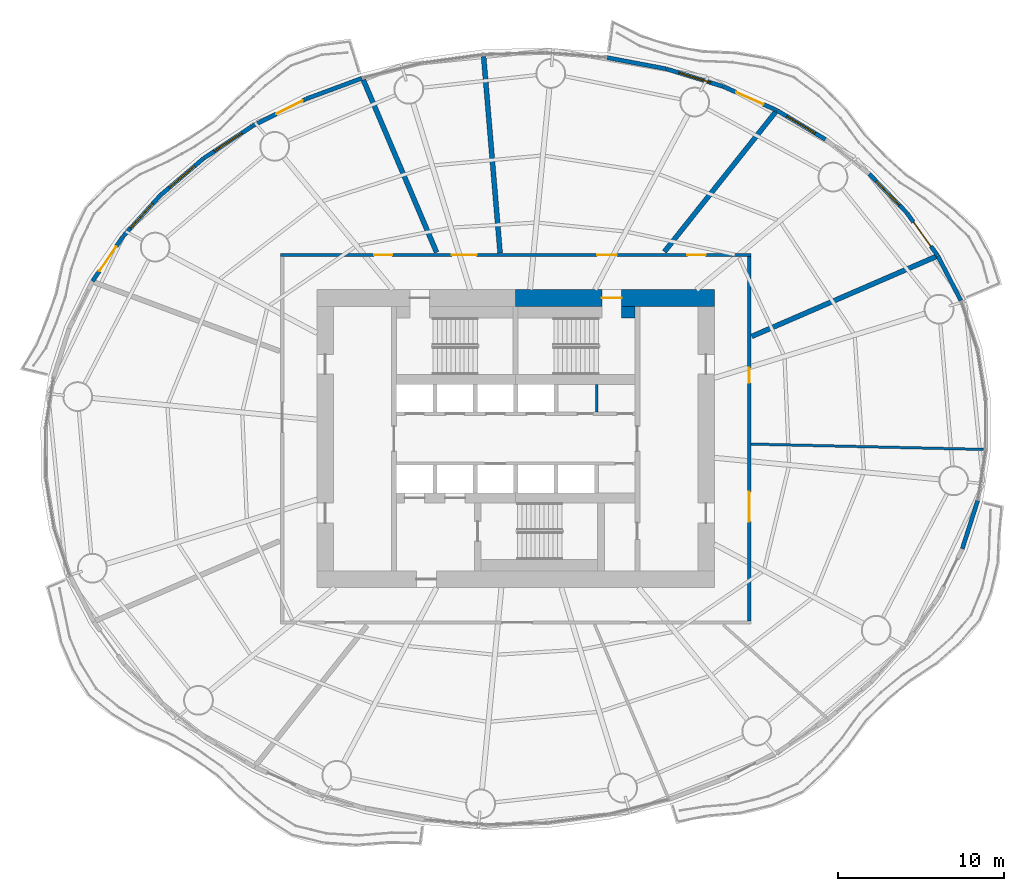
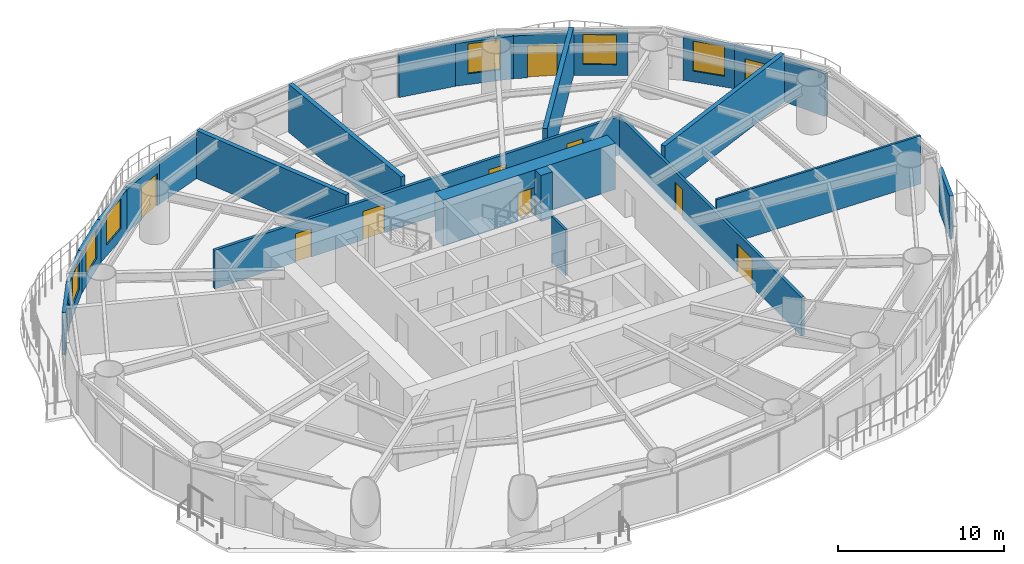
# One storey, part 10 of 17: 24 walls, 11 doors, 6 windows, 17 openings.
"""IFC4 building model written with IfcOpenShell, lengths in metres."""

from ifc_helpers import new_model, si_unit, direction, frame, frame_2d, origin, place, context, subcontext, project, spatial, rectangle, extrude, material, layer, layer_set, type_object, element, fill, save


model = new_model("IFC4")

# Units and contexts
model_context = context("Model", 3, precision=1e-05, world=origin(), true_north=direction((0.0, 1.0)))
body_context = subcontext(model_context, "Body", "Model", "MODEL_VIEW")
ifc_project = project(units=[si_unit("LENGTHUNIT", "METRE"), si_unit("AREAUNIT", "SQUARE_METRE"), si_unit("VOLUMEUNIT", "CUBIC_METRE"), si_unit("PLANEANGLEUNIT", "RADIAN"), si_unit("MASSUNIT", "GRAM", prefix="KILO")], contexts=[model_context])

# Site, building, storey
site_placement = place(None, origin())
site = spatial("IfcSite", under=ifc_project, at=site_placement, CompositionType="ELEMENT")
building_placement = place(site_placement, origin())
building = spatial("IfcBuilding", under=site, at=building_placement, Name="Vermilion Reach Broadcast Tower", CompositionType="ELEMENT")
storey_placement = place(building_placement, frame((0.0, 0.0, 54.5)))
storey = spatial("IfcBuildingStorey", under=building, at=storey_placement, Name="L10", CompositionType="ELEMENT", Elevation=54.5)

# Wall, opening, door
ifc_material_1 = material(Name="Concrete C70", Category="concrete")
ifc_layer_1 = layer(ifc_material_1, 1.0)
ifc_layer_set_1 = layer_set([ifc_layer_1], Name="Core outer wall 1000 mm Concrete C70")
wall_type_1 = type_object("IfcWallType", Name="Core outer wall 1000 mm Concrete C70", PredefinedType="SHEAR", material=ifc_layer_set_1)
wall_1_placement = place(storey_placement, frame((6.0, 8.5, 0.0), z_axis=(0.0, 0.0, 1.0), x_axis=(-1.0, 0.0, 0.0)))
wall_1 = element("IfcWall", 1, at=wall_1_placement, inside=storey, type_object=wall_type_1, Name="L10 core wall onE", PredefinedType="SHEAR", context=body_context, shape_type="SweptSolid", body=[
    extrude(rectangle(XDim=12.0, YDim=1.0, at=frame_2d((6.0, 0.0))), origin(), (0.0, 0.0, 1.0), 3.39990234375),
])
opening_1_placement = place(wall_1_placement, frame((5.60009765625, 0.0, 0.0)))
opening_1 = element("IfcOpeningElement", 2, at=opening_1_placement, cuts=wall_1, Name="Opening D01", PredefinedType="OPENING", context=body_context, shape_type="SweptSolid", body=[
    extrude(rectangle(XDim=1.199951171875, YDim=2.10009765625, at=frame_2d((0.60009765625, 1.050048828125))), frame((0.0, 0.510009765625, 0.0), z_axis=(0.0, -1.0, 0.0), x_axis=(1.0, 0.0, 0.0)), (0.0, 0.0, 1.0), 1.02001953125),
])
ifc_material_2 = material(Name="Painted steel fire door", Category="steel")
door_type_1 = type_object("IfcDoorType", Name="Stair door 1200 x 2100", OperationType="DOUBLE_DOOR_SINGLE_SWING", PredefinedType="NOTDEFINED", material=ifc_material_2)
door_1_placement = place(opening_1_placement, origin())
door_1 = element("IfcDoor", 3, at=door_1_placement, inside=storey, type_object=door_type_1, Name="L10 stair door ST2", OperationType="DOUBLE_DOOR_SINGLE_SWING", OverallHeight=2.10009765625, OverallWidth=1.199951171875, PredefinedType="NOTDEFINED", context=body_context, shape_type="SweptSolid", body=[
    extrude(rectangle(XDim=1.199951171875, YDim=2.10009765625, at=frame_2d((0.60009765625, 1.050048828125))), frame((0.0, 0.02490234375, 0.0), z_axis=(0.0, -1.0, 0.0), x_axis=(1.0, 0.0, 0.0)), (0.0, 0.0, 1.0), 0.050048828125),
])
fill(opening_1, door_1)

# Walls
ifc_material_3 = material(Name="Masonry block", Category="masonry")
ifc_layer_2 = layer(ifc_material_3, 0.14990234375)
ifc_layer_set_2 = layer_set([ifc_layer_2], Name="Core partition wall 150 mm Masonry block")
wall_type_2 = type_object("IfcWallType", Name="Core partition wall 150 mm Masonry block", PredefinedType="PARTITIONING", material=ifc_layer_set_2)
wall_2_placement = place(storey_placement, frame((-1.11669921875, 1.60009765625, 0.0), z_axis=(0.0, 0.0, 1.0), x_axis=(0.0, 1.0, 0.0)))
element("IfcWall", 4, at=wall_2_placement, inside=storey, type_object=wall_type_2, Name="L10 core wall prN4883", PredefinedType="PARTITIONING", context=body_context, shape_type="SweptSolid", body=[
    extrude(rectangle(XDim=1.679931640625, YDim=0.14990234375, at=frame_2d((0.83984375, 0.0))), origin(), (0.0, 0.0, 1.0), 3.39990234375),
])
ifc_material_4 = material(Name="Concrete C70", Category="concrete")
ifc_layer_3 = layer(ifc_material_4, 0.699951171875)
ifc_layer_set_3 = layer_set([ifc_layer_3], Name="Core stair wall 700 mm Concrete C70")
wall_type_3 = type_object("IfcWallType", Name="Core stair wall 700 mm Concrete C70", PredefinedType="SHEAR", material=ifc_layer_set_3)
wall_3_placement = place(storey_placement, frame((0.39990234375, 7.64990234375, 0.0), z_axis=(0.0, 0.0, 1.0), x_axis=(1.0, 0.0, 0.0)))
element("IfcWall", 5, at=wall_3_placement, inside=storey, type_object=wall_type_3, Name="L10 core wall l2b", PredefinedType="SHEAR", context=body_context, shape_type="SweptSolid", body=[
    extrude(rectangle(XDim=0.800048828125, YDim=0.699951171875, at=frame_2d((0.39990234375, 0.0))), origin(), (0.0, 0.0, 1.0), 3.39990234375),
])
ifc_material_5 = material(Name="Lightweight concrete block, plastered", Category="concrete")
ifc_layer_4 = layer(ifc_material_5, 0.14990234375)
ifc_layer_set_4 = layer_set([ifc_layer_4], Name="Partition 150 lightweight block")
wall_type_4 = type_object("IfcWallType", Name="Partition 150 lightweight block", PredefinedType="PARTITIONING", material=ifc_layer_set_4)
wall_4_placement = place(storey_placement, frame((22.27294921875, -0.64794921875, 0.0), z_axis=(0.0, 0.0, 1.0), x_axis=(-0.999737447045, 0.022913685328, 0.0)))
element("IfcWall", 6, at=wall_4_placement, inside=storey, type_object=wall_type_4, Name="Partition 10.10", PredefinedType="PARTITIONING", context=body_context, shape_type="SweptSolid", body=[
    extrude(rectangle(XDim=14.074951171875, YDim=0.14990234375, at=frame_2d((7.03759765625, 0.0))), origin(), (0.0, 0.0, 1.0), 3.550048828125),
])
ifc_material_6 = material(Name="Double-leaf plasterboard on isolated steel stud", Category="steel")
ifc_layer_5 = layer(ifc_material_6, 0.300048828125)
ifc_layer_set_5 = layer_set([ifc_layer_5], Name="Partition 300 acoustic double leaf")
wall_type_5 = type_object("IfcWallType", Name="Partition 300 acoustic double leaf", PredefinedType="PARTITIONING", material=ifc_layer_set_5)
wall_5_placement = place(storey_placement, frame((19.3837890625, 10.997802734375, 0.0), z_axis=(0.0, 0.0, 1.0), x_axis=(-0.917576439965, -0.397559400368, 0.0)))
element("IfcWall", 7, at=wall_5_placement, inside=storey, type_object=wall_type_5, Name="Partition 10.01", PredefinedType="PARTITIONING", context=body_context, shape_type="SweptSolid", body=[
    extrude(rectangle(XDim=12.12353515625, YDim=0.300048828125, at=frame_2d((6.061767578125, 0.0))), origin(), (0.0, 0.0, 1.0), 3.550048828125),
])
wall_6_placement = place(storey_placement, frame((9.700927734375, 19.737060546875, 0.0), z_axis=(0.0, 0.0, 1.0), x_axis=(-0.622554117307, -0.782576750884, 0.0)))
element("IfcWall", 8, at=wall_6_placement, inside=storey, type_object=wall_type_5, Name="Partition 10.02", PredefinedType="PARTITIONING", context=body_context, shape_type="SweptSolid", body=[
    extrude(rectangle(XDim=10.78955078125, YDim=0.300048828125, at=frame_2d((5.394775390625, 0.0))), origin(), (0.0, 0.0, 1.0), 3.550048828125),
])
wall_7_placement = place(storey_placement, frame((-7.938232421875, 23.08203125, 0.0), z_axis=(0.0, 0.0, 1.0), x_axis=(0.083668001416, -0.996493685649, 0.0)))
element("IfcWall", 9, at=wall_7_placement, inside=storey, type_object=wall_type_5, Name="Partition 10.03", PredefinedType="PARTITIONING", context=body_context, shape_type="SweptSolid", body=[
    extrude(rectangle(XDim=11.9111328125, YDim=0.300048828125, at=frame_2d((5.95556640625, 0.0))), origin(), (0.0, 0.0, 1.0), 3.550048828125),
])
wall_8_placement = place(storey_placement, frame((-15.205078125, 21.675048828125, 0.0), z_axis=(0.0, 0.0, 1.0), x_axis=(0.39088389437, -0.920439993222, 0.0)))
element("IfcWall", 10, at=wall_8_placement, inside=storey, type_object=wall_type_5, Name="Partition 10.04", PredefinedType="PARTITIONING", context=body_context, shape_type="SweptSolid", body=[
    extrude(rectangle(XDim=11.31689453125, YDim=0.300048828125, at=frame_2d((5.658447265625, 0.0))), origin(), (0.0, 0.0, 1.0), 3.550048828125),
])
ifc_material_7 = material(Name="Terracotta rainscreen cladding", Category="masonry")
ifc_layer_6 = layer(ifc_material_7, 0.25)
ifc_layer_set_6 = layer_set([ifc_layer_6], Name="Terracotta rainscreen wall 250")
wall_type_6 = type_object("IfcWallType", Name="Terracotta rainscreen wall 250", PredefinedType="SOLIDWALL", material=ifc_layer_set_6)
wall_9_placement = place(storey_placement, frame((20.894775390625, 8.34228515625, 0.0), z_axis=(0.0, 0.0, 1.0), x_axis=(-0.458675555217, 0.888603812194, 0.0)))
element("IfcWall", 11, at=wall_9_placement, inside=storey, type_object=wall_type_6, Name="External wall L10 02", PredefinedType="SOLIDWALL", context=body_context, shape_type="SweptSolid", body=[
    extrude(rectangle(XDim=3.048828125, YDim=0.25, at=frame_2d((1.5244140625, 0.0))), origin(), (0.0, 0.0, 1.0), 3.14990234375),
])

# Wall, opening, door
wall_10_placement = place(storey_placement, frame((19.482421875, 11.073974609375, 0.0), z_axis=(0.0, 0.0, 1.0), x_axis=(-0.585513121853, 0.810662928805, 0.0)))
wall_10 = element("IfcWall", 12, at=wall_10_placement, inside=storey, type_object=wall_type_6, Name="External wall L10 03", PredefinedType="SOLIDWALL", context=body_context, shape_type="SweptSolid", body=[
    extrude(rectangle(XDim=3.15966796875, YDim=0.25, at=frame_2d((1.579833984375, 0.0))), origin(), (0.0, 0.0, 1.0), 3.14990234375),
])
opening_2_placement = place(wall_10_placement, frame((0.679931640625, 0.0, 0.0)))
opening_2 = element("IfcOpeningElement", 13, at=opening_2_placement, cuts=wall_10, Name="Opening D70", PredefinedType="OPENING", context=body_context, shape_type="SweptSolid", body=[
    extrude(rectangle(XDim=1.800048828125, YDim=2.39990234375, at=frame_2d((0.89990234375, 1.199951171875))), frame((0.0, 0.135009765625, 0.0), z_axis=(0.0, -1.0, 0.0), x_axis=(1.0, 0.0, 0.0)), (0.0, 0.0, 1.0), 0.27001953125),
])
ifc_material_8 = material(Name="Low-e laminated clear glass in aluminium frame", Category="aluminium")
door_type_2 = type_object("IfcDoorType", Name="Balcony sliding door 1800 x 2400", OperationType="DOUBLE_DOOR_SLIDING", PredefinedType="DOOR", material=ifc_material_8)
door_2_placement = place(opening_2_placement, origin())
door_2 = element("IfcDoor", 14, at=door_2_placement, inside=storey, type_object=door_type_2, Name="Balcony door L10 run 01", OperationType="DOUBLE_DOOR_SLIDING", OverallHeight=2.39990234375, OverallWidth=1.800048828125, PredefinedType="DOOR", context=body_context, shape_type="SweptSolid", body=[
    extrude(rectangle(XDim=1.800048828125, YDim=2.39990234375, at=frame_2d((0.89990234375, 1.199951171875))), frame((0.0, 0.02490234375, 0.0), z_axis=(0.0, -1.0, 0.0), x_axis=(1.0, 0.0, 0.0)), (0.0, 0.0, 1.0), 0.050048828125),
])
fill(opening_2, door_2)

# Wall, opening, window
wall_11_placement = place(storey_placement, frame((17.61572265625, 13.6552734375, 0.0), z_axis=(0.0, 0.0, 1.0), x_axis=(-0.694577049327, 0.71941832236, 0.0)))
wall_11 = element("IfcWall", 15, at=wall_11_placement, inside=storey, type_object=wall_type_6, Name="External wall L10 04", PredefinedType="SOLIDWALL", context=body_context, shape_type="SweptSolid", body=[
    extrude(rectangle(XDim=3.2431640625, YDim=0.25, at=frame_2d((1.62158203125, 0.0))), origin(), (0.0, 0.0, 1.0), 3.14990234375),
])
opening_3_placement = place(wall_11_placement, frame((0.62158203125, 0.0, 0.800048828125)))
opening_3 = element("IfcOpeningElement", 16, at=opening_3_placement, cuts=wall_11, Name="Opening W01", PredefinedType="OPENING", context=body_context, shape_type="SweptSolid", body=[
    extrude(rectangle(XDim=2.0, YDim=2.199951171875, at=frame_2d((1.0, 1.10009765625))), frame((0.0, 0.135009765625, 0.0), z_axis=(0.0, -1.0, 0.0), x_axis=(1.0, 0.0, 0.0)), (0.0, 0.0, 1.0), 0.27001953125),
])
ifc_material_9 = material(Name="Low-e laminated clear glass in aluminium frame", Category="aluminium")
window_type = type_object("IfcWindowType", Name="Punched window 2000 x 2200 sill 800", PartitioningType="SINGLE_PANEL", PredefinedType="WINDOW", material=ifc_material_9)
window_1_placement = place(opening_3_placement, origin())
window_1 = element("IfcWindow", 17, at=window_1_placement, inside=storey, type_object=window_type, Name="Window L10 04", OverallHeight=2.199951171875, OverallWidth=2.0, PartitioningType="SINGLE_PANEL", PredefinedType="WINDOW", context=body_context, shape_type="SweptSolid", body=[
    extrude(rectangle(XDim=2.0, YDim=2.199951171875, at=frame_2d((1.0, 1.10009765625))), frame((0.0, 0.030029296875, 0.0), z_axis=(0.0, -1.0, 0.0), x_axis=(1.0, 0.0, 0.0)), (0.0, 0.0, 1.0), 0.06005859375),
])
fill(opening_3, window_1)

wall_12_placement = place(storey_placement, frame((12.70703125, 18.0830078125, 0.0), z_axis=(0.0, 0.0, 1.0), x_axis=(-0.858033363917, 0.513593950903, 0.0)))
wall_12 = element("IfcWall", 18, at=wall_12_placement, inside=storey, type_object=wall_type_6, Name="External wall L10 06", PredefinedType="SOLIDWALL", context=body_context, shape_type="SweptSolid", body=[
    extrude(rectangle(XDim=3.425048828125, YDim=0.25, at=frame_2d((1.71240234375, 0.0))), origin(), (0.0, 0.0, 1.0), 3.14990234375),
])
opening_4_placement = place(wall_12_placement, frame((0.71240234375, 0.0, 0.800048828125)))
opening_4 = element("IfcOpeningElement", 19, at=opening_4_placement, cuts=wall_12, Name="Opening W01", PredefinedType="OPENING", context=body_context, shape_type="SweptSolid", body=[
    extrude(rectangle(XDim=2.0, YDim=2.199951171875, at=frame_2d((1.0, 1.10009765625))), frame((0.0, 0.135009765625, 0.0), z_axis=(0.0, -1.0, 0.0), x_axis=(1.0, 0.0, 0.0)), (0.0, 0.0, 1.0), 0.27001953125),
])
window_2_placement = place(opening_4_placement, origin())
window_2 = element("IfcWindow", 20, at=window_2_placement, inside=storey, type_object=window_type, Name="Window L10 06", OverallHeight=2.199951171875, OverallWidth=2.0, PartitioningType="SINGLE_PANEL", PredefinedType="WINDOW", context=body_context, shape_type="SweptSolid", body=[
    extrude(rectangle(XDim=2.0, YDim=2.199951171875, at=frame_2d((1.0, 1.10009765625))), frame((0.0, 0.030029296875, 0.0), z_axis=(0.0, -1.0, 0.0), x_axis=(1.0, 0.0, 0.0)), (0.0, 0.0, 1.0), 0.06005859375),
])
fill(opening_4, window_2)

# Wall, opening, door
wall_13_placement = place(storey_placement, frame((9.74755859375, 19.852783203125, 0.0), z_axis=(0.0, 0.0, 1.0), x_axis=(-0.914241212529, 0.405170341107, 0.0)))
wall_13 = element("IfcWall", 21, at=wall_13_placement, inside=storey, type_object=wall_type_6, Name="External wall L10 07", PredefinedType="SOLIDWALL", context=body_context, shape_type="SweptSolid", body=[
    extrude(rectangle(XDim=3.510498046875, YDim=0.25, at=frame_2d((1.75537109375, 0.0))), origin(), (0.0, 0.0, 1.0), 3.14990234375),
])
opening_5_placement = place(wall_13_placement, frame((0.85498046875, 0.0, 0.0)))
opening_5 = element("IfcOpeningElement", 22, at=opening_5_placement, cuts=wall_13, Name="Opening D70", PredefinedType="OPENING", context=body_context, shape_type="SweptSolid", body=[
    extrude(rectangle(XDim=1.800048828125, YDim=2.39990234375, at=frame_2d((0.89990234375, 1.199951171875))), frame((0.0, 0.135009765625, 0.0), z_axis=(0.0, -1.0, 0.0), x_axis=(1.0, 0.0, 0.0)), (0.0, 0.0, 1.0), 0.27001953125),
])
door_3_placement = place(opening_5_placement, origin())
door_3 = element("IfcDoor", 23, at=door_3_placement, inside=storey, type_object=door_type_2, Name="Balcony door L10 run 02", OperationType="DOUBLE_DOOR_SLIDING", OverallHeight=2.39990234375, OverallWidth=1.800048828125, PredefinedType="DOOR", context=body_context, shape_type="SweptSolid", body=[
    extrude(rectangle(XDim=1.800048828125, YDim=2.39990234375, at=frame_2d((0.89990234375, 1.199951171875))), frame((0.0, 0.02490234375, 0.0), z_axis=(0.0, -1.0, 0.0), x_axis=(1.0, 0.0, 0.0)), (0.0, 0.0, 1.0), 0.050048828125),
])
fill(opening_5, door_3)

# Wall, opening, window
wall_14_placement = place(storey_placement, frame((6.51708984375, 21.282958984375, 0.0), z_axis=(0.0, 0.0, 1.0), x_axis=(-0.955259328364, 0.295769531177, 0.0)))
wall_14 = element("IfcWall", 24, at=wall_14_placement, inside=storey, type_object=wall_type_6, Name="External wall L10 08", PredefinedType="SOLIDWALL", context=body_context, shape_type="SweptSolid", body=[
    extrude(rectangle(XDim=3.585693359375, YDim=0.25, at=frame_2d((1.79296875, 0.0))), origin(), (0.0, 0.0, 1.0), 3.14990234375),
])
opening_6_placement = place(wall_14_placement, frame((0.792724609375, 0.0, 0.800048828125)))
opening_6 = element("IfcOpeningElement", 25, at=opening_6_placement, cuts=wall_14, Name="Opening W01", PredefinedType="OPENING", context=body_context, shape_type="SweptSolid", body=[
    extrude(rectangle(XDim=2.0, YDim=2.199951171875, at=frame_2d((1.0, 1.10009765625))), frame((0.0, 0.135009765625, 0.0), z_axis=(0.0, -1.0, 0.0), x_axis=(1.0, 0.0, 0.0)), (0.0, 0.0, 1.0), 0.27001953125),
])
window_3_placement = place(opening_6_placement, origin())
window_3 = element("IfcWindow", 26, at=window_3_placement, inside=storey, type_object=window_type, Name="Window L10 08", OverallHeight=2.199951171875, OverallWidth=2.0, PartitioningType="SINGLE_PANEL", PredefinedType="WINDOW", context=body_context, shape_type="SweptSolid", body=[
    extrude(rectangle(XDim=2.0, YDim=2.199951171875, at=frame_2d((1.0, 1.10009765625))), frame((0.0, 0.030029296875, 0.0), z_axis=(0.0, -1.0, 0.0), x_axis=(1.0, 0.0, 0.0)), (0.0, 0.0, 1.0), 0.06005859375),
])
fill(opening_6, window_3)

# Walls
wall_15_placement = place(storey_placement, frame((3.0703125, 22.348876953125, 0.0), z_axis=(0.0, 0.0, 1.0), x_axis=(-0.982470044851, 0.186420521862, 0.0)))
element("IfcWall", 27, at=wall_15_placement, inside=storey, type_object=wall_type_6, Name="External wall L10 09", PredefinedType="SOLIDWALL", context=body_context, shape_type="SweptSolid", body=[
    extrude(rectangle(XDim=3.6015625, YDim=0.25, at=frame_2d((1.80078125, 0.0))), origin(), (0.0, 0.0, 1.0), 3.14990234375),
])
wall_16_placement = place(storey_placement, frame((-15.293701171875, 21.775390625, 0.0), z_axis=(0.0, 0.0, 1.0), x_axis=(-0.937607214699, -0.347696291244, 0.0)))
element("IfcWall", 28, at=wall_16_placement, inside=storey, type_object=wall_type_6, Name="External wall L10 14", PredefinedType="SOLIDWALL", context=body_context, shape_type="SweptSolid", body=[
    extrude(rectangle(XDim=3.601318359375, YDim=0.25, at=frame_2d((1.80078125, 0.0))), origin(), (0.0, 0.0, 1.0), 3.14990234375),
])

# Wall, opening, door
wall_17_placement = place(storey_placement, frame((-18.690673828125, 20.514404296875, 0.0), z_axis=(0.0, 0.0, 1.0), x_axis=(-0.892553821927, -0.45094087746, 0.0)))
wall_17 = element("IfcWall", 29, at=wall_17_placement, inside=storey, type_object=wall_type_6, Name="External wall L10 15", PredefinedType="SOLIDWALL", context=body_context, shape_type="SweptSolid", body=[
    extrude(rectangle(XDim=3.585693359375, YDim=0.25, at=frame_2d((1.79296875, 0.0))), origin(), (0.0, 0.0, 1.0), 3.14990234375),
])
opening_7_placement = place(wall_17_placement, frame((0.193115234375, 0.0, 0.0)))
opening_7 = element("IfcOpeningElement", 30, at=opening_7_placement, cuts=wall_17, Name="Opening D70", PredefinedType="OPENING", context=body_context, shape_type="SweptSolid", body=[
    extrude(rectangle(XDim=1.800048828125, YDim=2.39990234375, at=frame_2d((0.89990234375, 1.199951171875))), frame((0.0, 0.135009765625, 0.0), z_axis=(0.0, -1.0, 0.0), x_axis=(1.0, 0.0, 0.0)), (0.0, 0.0, 1.0), 0.27001953125),
])
door_4_placement = place(opening_7_placement, origin())
door_4 = element("IfcDoor", 31, at=door_4_placement, inside=storey, type_object=door_type_2, Name="Balcony door L10 run 04", OperationType="DOUBLE_DOOR_SLIDING", OverallHeight=2.39990234375, OverallWidth=1.800048828125, PredefinedType="DOOR", context=body_context, shape_type="SweptSolid", body=[
    extrude(rectangle(XDim=1.800048828125, YDim=2.39990234375, at=frame_2d((0.89990234375, 1.199951171875))), frame((0.0, 0.02490234375, 0.0), z_axis=(0.0, -1.0, 0.0), x_axis=(1.0, 0.0, 0.0)), (0.0, 0.0, 1.0), 0.050048828125),
])
fill(opening_7, door_4)

# Wall, opening, window
wall_18_placement = place(storey_placement, frame((-21.91064453125, 18.88623046875, 0.0), z_axis=(0.0, 0.0, 1.0), x_axis=(-0.833854064254, -0.551984963135, 0.0)))
wall_18 = element("IfcWall", 32, at=wall_18_placement, inside=storey, type_object=wall_type_6, Name="External wall L10 16", PredefinedType="SOLIDWALL", context=body_context, shape_type="SweptSolid", body=[
    extrude(rectangle(XDim=3.510498046875, YDim=0.25, at=frame_2d((1.75537109375, 0.0))), origin(), (0.0, 0.0, 1.0), 3.14990234375),
])
opening_8_placement = place(wall_18_placement, frame((0.75537109375, 0.0, 0.800048828125)))
opening_8 = element("IfcOpeningElement", 33, at=opening_8_placement, cuts=wall_18, Name="Opening W01", PredefinedType="OPENING", context=body_context, shape_type="SweptSolid", body=[
    extrude(rectangle(XDim=2.0, YDim=2.199951171875, at=frame_2d((1.0, 1.10009765625))), frame((0.0, 0.135009765625, 0.0), z_axis=(0.0, -1.0, 0.0), x_axis=(1.0, 0.0, 0.0)), (0.0, 0.0, 1.0), 0.27001953125),
])
window_4_placement = place(opening_8_placement, origin())
window_4 = element("IfcWindow", 34, at=window_4_placement, inside=storey, type_object=window_type, Name="Window L10 16", OverallHeight=2.199951171875, OverallWidth=2.0, PartitioningType="SINGLE_PANEL", PredefinedType="WINDOW", context=body_context, shape_type="SweptSolid", body=[
    extrude(rectangle(XDim=2.0, YDim=2.199951171875, at=frame_2d((1.0, 1.10009765625))), frame((0.0, 0.030029296875, 0.0), z_axis=(0.0, -1.0, 0.0), x_axis=(1.0, 0.0, 0.0)), (0.0, 0.0, 1.0), 0.06005859375),
])
fill(opening_8, window_4)

wall_19_placement = place(storey_placement, frame((-24.8564453125, 16.9345703125, 0.0), z_axis=(0.0, 0.0, 1.0), x_axis=(-0.760387612855, -0.649469536019, 0.0)))
wall_19 = element("IfcWall", 35, at=wall_19_placement, inside=storey, type_object=wall_type_6, Name="External wall L10 17", PredefinedType="SOLIDWALL", context=body_context, shape_type="SweptSolid", body=[
    extrude(rectangle(XDim=3.4248046875, YDim=0.25, at=frame_2d((1.71240234375, 0.0))), origin(), (0.0, 0.0, 1.0), 3.14990234375),
])
opening_9_placement = place(wall_19_placement, frame((0.71240234375, 0.0, 0.800048828125)))
opening_9 = element("IfcOpeningElement", 36, at=opening_9_placement, cuts=wall_19, Name="Opening W01", PredefinedType="OPENING", context=body_context, shape_type="SweptSolid", body=[
    extrude(rectangle(XDim=2.0, YDim=2.199951171875, at=frame_2d((1.0, 1.10009765625))), frame((0.0, 0.135009765625, 0.0), z_axis=(0.0, -1.0, 0.0), x_axis=(1.0, 0.0, 0.0)), (0.0, 0.0, 1.0), 0.27001953125),
])
window_5_placement = place(opening_9_placement, origin())
window_5 = element("IfcWindow", 37, at=window_5_placement, inside=storey, type_object=window_type, Name="Window L10 17", OverallHeight=2.199951171875, OverallWidth=2.0, PartitioningType="SINGLE_PANEL", PredefinedType="WINDOW", context=body_context, shape_type="SweptSolid", body=[
    extrude(rectangle(XDim=2.0, YDim=2.199951171875, at=frame_2d((1.0, 1.10009765625))), frame((0.0, 0.030029296875, 0.0), z_axis=(0.0, -1.0, 0.0), x_axis=(1.0, 0.0, 0.0)), (0.0, 0.0, 1.0), 0.06005859375),
])
fill(opening_9, window_5)

wall_20_placement = place(storey_placement, frame((-27.47802734375, 14.693359375, 0.0), z_axis=(0.0, 0.0, 1.0), x_axis=(-0.670965097122, -0.74148893346, 0.0)))
wall_20 = element("IfcWall", 38, at=wall_20_placement, inside=storey, type_object=wall_type_6, Name="External wall L10 18", PredefinedType="SOLIDWALL", context=body_context, shape_type="SweptSolid", body=[
    extrude(rectangle(XDim=3.333740234375, YDim=0.25, at=frame_2d((1.6669921875, 0.0))), origin(), (0.0, 0.0, 1.0), 3.14990234375),
])
opening_10_placement = place(wall_20_placement, frame((0.6669921875, 0.0, 0.800048828125)))
opening_10 = element("IfcOpeningElement", 39, at=opening_10_placement, cuts=wall_20, Name="Opening W01", PredefinedType="OPENING", context=body_context, shape_type="SweptSolid", body=[
    extrude(rectangle(XDim=2.0, YDim=2.199951171875, at=frame_2d((1.0, 1.10009765625))), frame((0.0, 0.135009765625, 0.0), z_axis=(0.0, -1.0, 0.0), x_axis=(1.0, 0.0, 0.0)), (0.0, 0.0, 1.0), 0.27001953125),
])
window_6_placement = place(opening_10_placement, origin())
window_6 = element("IfcWindow", 40, at=window_6_placement, inside=storey, type_object=window_type, Name="Window L10 18", OverallHeight=2.199951171875, OverallWidth=2.0, PartitioningType="SINGLE_PANEL", PredefinedType="WINDOW", context=body_context, shape_type="SweptSolid", body=[
    extrude(rectangle(XDim=2.0, YDim=2.199951171875, at=frame_2d((1.0, 1.10009765625))), frame((0.0, 0.030029296875, 0.0), z_axis=(0.0, -1.0, 0.0), x_axis=(1.0, 0.0, 0.0)), (0.0, 0.0, 1.0), 0.06005859375),
])
fill(opening_10, window_6)

# Wall, opening, door
wall_21_placement = place(storey_placement, frame((-29.730224609375, 12.201904296875, 0.0), z_axis=(0.0, 0.0, 1.0), x_axis=(-0.564924055241, -0.825142903872, 0.0)))
wall_21 = element("IfcWall", 41, at=wall_21_placement, inside=storey, type_object=wall_type_6, Name="External wall L10 19", PredefinedType="SOLIDWALL", context=body_context, shape_type="SweptSolid", body=[
    extrude(rectangle(XDim=3.243408203125, YDim=0.25, at=frame_2d((1.62158203125, 0.0))), origin(), (0.0, 0.0, 1.0), 3.14990234375),
])
opening_11_placement = place(wall_21_placement, frame((0.721923828125, 0.0, 0.0)))
opening_11 = element("IfcOpeningElement", 42, at=opening_11_placement, cuts=wall_21, Name="Opening D70", PredefinedType="OPENING", context=body_context, shape_type="SweptSolid", body=[
    extrude(rectangle(XDim=1.800048828125, YDim=2.39990234375, at=frame_2d((0.89990234375, 1.199951171875))), frame((0.0, 0.135009765625, 0.0), z_axis=(0.0, -1.0, 0.0), x_axis=(1.0, 0.0, 0.0)), (0.0, 0.0, 1.0), 0.27001953125),
])
door_5_placement = place(opening_11_placement, origin())
door_5 = element("IfcDoor", 43, at=door_5_placement, inside=storey, type_object=door_type_2, Name="Balcony door L10 run 05", OperationType="DOUBLE_DOOR_SLIDING", OverallHeight=2.39990234375, OverallWidth=1.800048828125, PredefinedType="DOOR", context=body_context, shape_type="SweptSolid", body=[
    extrude(rectangle(XDim=1.800048828125, YDim=2.39990234375, at=frame_2d((0.89990234375, 1.199951171875))), frame((0.0, 0.02490234375, 0.0), z_axis=(0.0, -1.0, 0.0), x_axis=(1.0, 0.0, 0.0)), (0.0, 0.0, 1.0), 0.050048828125),
])
fill(opening_11, door_5)

# Wall
wall_22_placement = place(storey_placement, frame((20.982421875, -6.64453125, 0.0), z_axis=(0.0, 0.0, 1.0), x_axis=(0.304092753462, 0.952642428874, 0.0)))
element("IfcWall", 44, at=wall_22_placement, inside=storey, type_object=wall_type_6, Name="External wall L10 45", PredefinedType="SOLIDWALL", context=body_context, shape_type="SweptSolid", body=[
    extrude(rectangle(XDim=3.04833984375, YDim=0.25, at=frame_2d((1.524169921875, 0.0))), origin(), (0.0, 0.0, 1.0), 3.14990234375),
])

# Wall, openings, doors
ifc_material_10 = material(Name="Fire-rated gypsum board partition")
ifc_layer_7 = layer(ifc_material_10, 0.199951171875)
ifc_layer_set_7 = layer_set([ifc_layer_7], Name="Under girder: Corridor wall 200 fire-rated")
wall_type_7 = type_object("IfcWallType", Name="Under girder: Corridor wall 200 fire-rated", PredefinedType="PARTITIONING", material=ifc_layer_set_7)
wall_23_placement = place(storey_placement, frame((-20.199951171875, 11.10009765625, 0.0), z_axis=(0.0, 0.0, 1.0), x_axis=(1.0, 0.0, 0.0)))
wall_23 = element("IfcWall", 45, at=wall_23_placement, inside=storey, type_object=wall_type_7, Name="Corridor wall 10.N", PredefinedType="PARTITIONING", context=body_context, shape_type="SweptSolid", body=[
    extrude(rectangle(XDim=28.39990234375, YDim=0.199951171875, at=frame_2d((14.199951171875, 0.0))), origin(), (0.0, 0.0, 1.0), 2.85009765625),
])
opening_12_placement = place(wall_23_placement, frame((24.566650390625, 0.0, 0.0)))
opening_12 = element("IfcOpeningElement", 46, at=opening_12_placement, cuts=wall_23, Name="Opening D28", PredefinedType="OPENING", context=body_context, shape_type="SweptSolid", body=[
    extrude(rectangle(XDim=1.10009765625, YDim=2.10009765625, at=frame_2d((0.550048828125, 1.050048828125))), frame((0.0, 0.10986328125, 0.0), z_axis=(0.0, -1.0, 0.0), x_axis=(1.0, 0.0, 0.0)), (0.0, 0.0, 1.0), 0.219970703125),
])
opening_13_placement = place(wall_23_placement, frame((19.114501953125, 0.0, 0.0)))
opening_13 = element("IfcOpeningElement", 47, at=opening_13_placement, cuts=wall_23, Name="Opening D26", PredefinedType="OPENING", context=body_context, shape_type="SweptSolid", body=[
    extrude(rectangle(XDim=1.199951171875, YDim=2.10009765625, at=frame_2d((0.60009765625, 1.050048828125))), frame((0.0, 0.10986328125, 0.0), z_axis=(0.0, -1.0, 0.0), x_axis=(1.0, 0.0, 0.0)), (0.0, 0.0, 1.0), 0.219970703125),
])
opening_14_placement = place(wall_23_placement, frame((10.33837890625, 0.0, 0.0)))
opening_14 = element("IfcOpeningElement", 48, at=opening_14_placement, cuts=wall_23, Name="Opening D24", PredefinedType="OPENING", context=body_context, shape_type="SweptSolid", body=[
    extrude(rectangle(XDim=1.5, YDim=2.10009765625, at=frame_2d((0.75, 1.050048828125))), frame((0.0, 0.10986328125, 0.0), z_axis=(0.0, -1.0, 0.0), x_axis=(1.0, 0.0, 0.0)), (0.0, 0.0, 1.0), 0.219970703125),
])
opening_15_placement = place(wall_23_placement, frame((5.640380859375, 0.0, 0.0)))
opening_15 = element("IfcOpeningElement", 49, at=opening_15_placement, cuts=wall_23, Name="Opening D28", PredefinedType="OPENING", context=body_context, shape_type="SweptSolid", body=[
    extrude(rectangle(XDim=1.10009765625, YDim=2.10009765625, at=frame_2d((0.550048828125, 1.050048828125))), frame((0.0, 0.10986328125, 0.0), z_axis=(0.0, -1.0, 0.0), x_axis=(1.0, 0.0, 0.0)), (0.0, 0.0, 1.0), 0.219970703125),
])
ifc_material_11 = material(Name="Timber door leaf", Category="wood")
door_type_3 = type_object("IfcDoorType", Name="Door pair 1500x2100", OperationType="NOTDEFINED", PredefinedType="DOOR", material=ifc_material_11)
door_6_placement = place(opening_14_placement, origin())
door_6 = element("IfcDoor", 50, at=door_6_placement, inside=storey, type_object=door_type_3, Name="Door 10.03", OperationType="DOUBLE_DOOR_SINGLE_SWING", OverallHeight=2.10009765625, OverallWidth=1.5, PredefinedType="DOOR", context=body_context, shape_type="SweptSolid", body=[
    extrude(rectangle(XDim=1.5, YDim=2.10009765625, at=frame_2d((0.75, 1.050048828125))), frame((0.0, 0.02490234375, 0.0), z_axis=(0.0, -1.0, 0.0), x_axis=(1.0, 0.0, 0.0)), (0.0, 0.0, 1.0), 0.050048828125),
])
fill(opening_14, door_6)
ifc_material_12 = material(Name="Acoustic sound-lock door leaf")
door_type_4 = type_object("IfcDoorType", Name="Door single 1100x2100", OperationType="NOTDEFINED", PredefinedType="DOOR", material=ifc_material_12)
door_7_placement = place(opening_12_placement, origin())
door_7 = element("IfcDoor", 51, at=door_7_placement, inside=storey, type_object=door_type_4, Name="Door 10.01", OperationType="SINGLE_SWING_LEFT", OverallHeight=2.10009765625, OverallWidth=1.10009765625, PredefinedType="DOOR", context=body_context, shape_type="SweptSolid", body=[
    extrude(rectangle(XDim=1.10009765625, YDim=2.10009765625, at=frame_2d((0.550048828125, 1.050048828125))), frame((0.0, 0.02490234375, 0.0), z_axis=(0.0, -1.0, 0.0), x_axis=(1.0, 0.0, 0.0)), (0.0, 0.0, 1.0), 0.050048828125),
])
fill(opening_12, door_7)
door_8_placement = place(opening_15_placement, origin())
door_8 = element("IfcDoor", 52, at=door_8_placement, inside=storey, type_object=door_type_4, Name="Door 10.04", OperationType="SINGLE_SWING_RIGHT", OverallHeight=2.10009765625, OverallWidth=1.10009765625, PredefinedType="DOOR", context=body_context, shape_type="SweptSolid", body=[
    extrude(rectangle(XDim=1.10009765625, YDim=2.10009765625, at=frame_2d((0.550048828125, 1.050048828125))), frame((0.0, 0.02490234375, 0.0), z_axis=(0.0, -1.0, 0.0), x_axis=(1.0, 0.0, 0.0)), (0.0, 0.0, 1.0), 0.050048828125),
])
fill(opening_15, door_8)
ifc_material_13 = material(Name="Acoustic timber door leaf", Category="wood")
door_type_5 = type_object("IfcDoorType", Name="Door single 1200x2100", OperationType="NOTDEFINED", PredefinedType="DOOR", material=ifc_material_13)
door_9_placement = place(opening_13_placement, origin())
door_9 = element("IfcDoor", 53, at=door_9_placement, inside=storey, type_object=door_type_5, Name="Door 10.02", OperationType="SINGLE_SWING_RIGHT", OverallHeight=2.10009765625, OverallWidth=1.199951171875, PredefinedType="DOOR", context=body_context, shape_type="SweptSolid", body=[
    extrude(rectangle(XDim=1.199951171875, YDim=2.10009765625, at=frame_2d((0.60009765625, 1.050048828125))), frame((0.0, 0.02490234375, 0.0), z_axis=(0.0, -1.0, 0.0), x_axis=(1.0, 0.0, 0.0)), (0.0, 0.0, 1.0), 0.050048828125),
])
fill(opening_13, door_9)

wall_24_placement = place(storey_placement, frame((8.10009765625, 11.0, 0.0), z_axis=(0.0, 0.0, 1.0), x_axis=(0.0, -1.0, 0.0)))
wall_24 = element("IfcWall", 54, at=wall_24_placement, inside=storey, type_object=wall_type_7, Name="Corridor wall 10.E", PredefinedType="PARTITIONING", context=body_context, shape_type="SweptSolid", body=[
    extrude(rectangle(XDim=22.0, YDim=0.199951171875, at=frame_2d((11.0, 0.0))), origin(), (0.0, 0.0, 1.0), 2.85009765625),
])
opening_16_placement = place(wall_24_placement, frame((14.2177734375, 0.0, 0.0)))
opening_16 = element("IfcOpeningElement", 55, at=opening_16_placement, cuts=wall_24, Name="Opening D21", PredefinedType="OPENING", context=body_context, shape_type="SweptSolid", body=[
    extrude(rectangle(XDim=1.800048828125, YDim=2.10009765625, at=frame_2d((0.89990234375, 1.050048828125))), frame((0.0, 0.10986328125, 0.0), z_axis=(0.0, -1.0, 0.0), x_axis=(1.0, 0.0, 0.0)), (0.0, 0.0, 1.0), 0.219970703125),
])
opening_17_placement = place(wall_24_placement, frame((6.720947265625, 0.0, 0.0)))
opening_17 = element("IfcOpeningElement", 56, at=opening_17_placement, cuts=wall_24, Name="Opening D22", PredefinedType="OPENING", context=body_context, shape_type="SweptSolid", body=[
    extrude(rectangle(XDim=0.89990234375, YDim=2.10009765625, at=frame_2d((0.449951171875, 1.050048828125))), frame((0.0, 0.10986328125, 0.0), z_axis=(0.0, -1.0, 0.0), x_axis=(1.0, 0.0, 0.0)), (0.0, 0.0, 1.0), 0.219970703125),
])
ifc_material_14 = material(Name="Timber door leaf", Category="wood")
door_type_6 = type_object("IfcDoorType", Name="Door pair 1800x2100", OperationType="NOTDEFINED", PredefinedType="DOOR", material=ifc_material_14)
door_10_placement = place(opening_16_placement, origin())
door_10 = element("IfcDoor", 57, at=door_10_placement, inside=storey, type_object=door_type_6, Name="Door 10.09", OperationType="DOUBLE_DOOR_SINGLE_SWING", OverallHeight=2.10009765625, OverallWidth=1.800048828125, PredefinedType="DOOR", context=body_context, shape_type="SweptSolid", body=[
    extrude(rectangle(XDim=1.800048828125, YDim=2.10009765625, at=frame_2d((0.89990234375, 1.050048828125))), frame((0.0, 0.02490234375, 0.0), z_axis=(0.0, -1.0, 0.0), x_axis=(1.0, 0.0, 0.0)), (0.0, 0.0, 1.0), 0.050048828125),
])
fill(opening_16, door_10)
ifc_material_15 = material(Name="Timber door leaf", Category="wood")
door_type_7 = type_object("IfcDoorType", Name="Door single 900x2100", OperationType="NOTDEFINED", PredefinedType="DOOR", material=ifc_material_15)
door_11_placement = place(opening_17_placement, origin())
door_11 = element("IfcDoor", 58, at=door_11_placement, inside=storey, type_object=door_type_7, Name="Door 10.10", OperationType="SINGLE_SWING_LEFT", OverallHeight=2.10009765625, OverallWidth=0.89990234375, PredefinedType="DOOR", context=body_context, shape_type="SweptSolid", body=[
    extrude(rectangle(XDim=0.89990234375, YDim=2.10009765625, at=frame_2d((0.449951171875, 1.050048828125))), frame((0.0, 0.02490234375, 0.0), z_axis=(0.0, -1.0, 0.0), x_axis=(1.0, 0.0, 0.0)), (0.0, 0.0, 1.0), 0.050048828125),
])
fill(opening_17, door_11)

save(model, "model.ifc")
